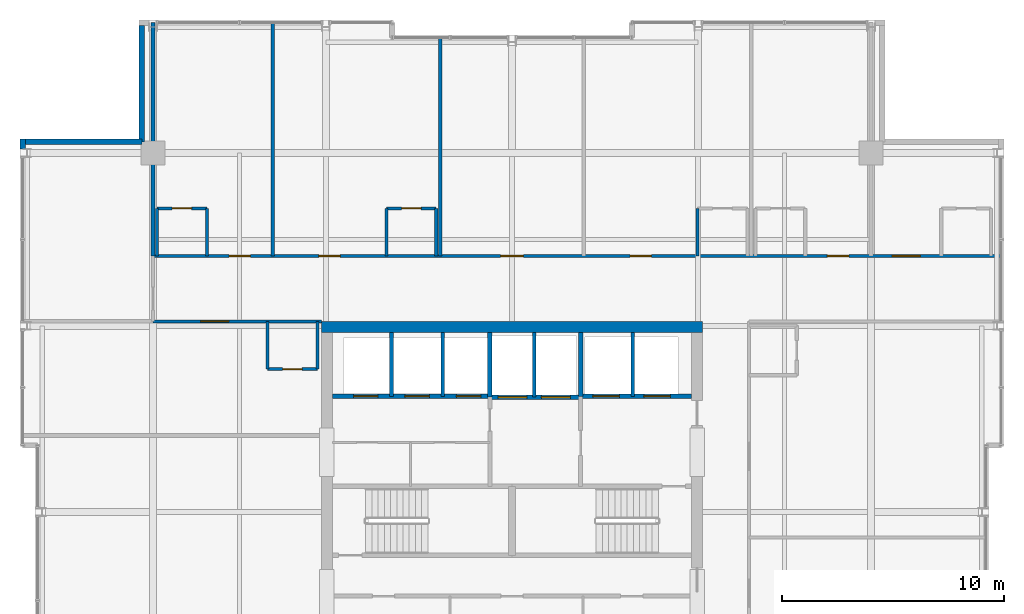
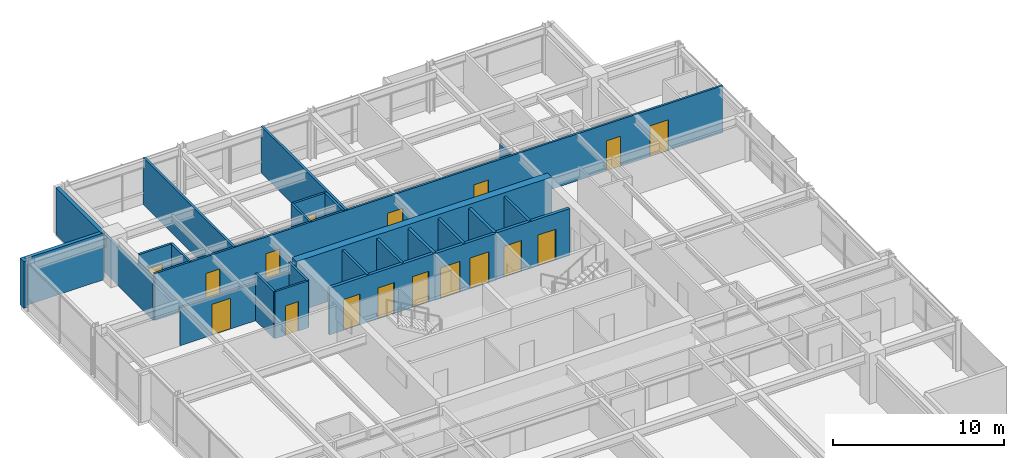
# One storey, part 28 of 32: 28 walls, 17 doors, 17 openings.
"""IFC4 building model written with IfcOpenShell, lengths in metres."""

from ifc_helpers import new_model, si_unit, direction, frame, frame_2d, origin, place, context, subcontext, project, spatial, rectangle, extrude, material, layer, layer_set, type_object, element, fill, save


model = new_model("IFC4")

# Units and contexts
model_context = context("Model", 3, precision=1e-05, world=origin(), true_north=direction((0.0, 1.0)))
body_context = subcontext(model_context, "Body", "Model", "MODEL_VIEW")
ifc_project = project(units=[si_unit("LENGTHUNIT", "METRE"), si_unit("AREAUNIT", "SQUARE_METRE"), si_unit("VOLUMEUNIT", "CUBIC_METRE"), si_unit("PLANEANGLEUNIT", "RADIAN"), si_unit("MASSUNIT", "GRAM", prefix="KILO")], contexts=[model_context])

# Site, building, storey
site_placement = place(None, origin())
site = spatial("IfcSite", under=ifc_project, at=site_placement, CompositionType="ELEMENT")
building_placement = place(site_placement, origin())
building = spatial("IfcBuilding", under=site, at=building_placement, Name="Drelvath Grand Hotel", CompositionType="ELEMENT")
storey_placement = place(building_placement, frame((0.0, 0.0, 237.5)))
storey = spatial("IfcBuildingStorey", under=building, at=storey_placement, Name="L62", CompositionType="ELEMENT", Elevation=237.5)

# Wall, openings, doors
ifc_material_1 = material(Name="Concrete C40/50", Category="concrete")
ifc_layer_1 = layer(ifc_material_1, 0.199951171875)
ifc_layer_set_1 = layer_set([ifc_layer_1], Name="Concrete C40/50")
wall_type_1 = type_object("IfcWallType", Name="Core Hoistway Fire Wall 200", PredefinedType="SOLIDWALL", material=ifc_layer_set_1)
wall_1_placement = place(storey_placement, frame((3.10009765625, 32.219970703125, 0.0), z_axis=(0.0, 0.0, 1.0), x_axis=(1.0, 0.0, 0.0)))
wall_1 = element("IfcWall", 1, at=wall_1_placement, inside=storey, type_object=wall_type_1, Name="L62 FSAE Hoistway Front Wall", PredefinedType="SOLIDWALL", context=body_context, shape_type="SweptSolid", body=[
    extrude(rectangle(XDim=5.0, YDim=0.199951171875, at=frame_2d((2.5, 0.0))), origin(), (0.0, 0.0, 1.0), 3.340087890625),
])
opening_1_placement = place(wall_1_placement, frame((0.550048828125, 0.0, 0.0)))
opening_1 = element("IfcOpeningElement", 2, at=opening_1_placement, cuts=wall_1, Name="Opening LD-FSAE-1", PredefinedType="OPENING", context=body_context, shape_type="SweptSolid", body=[
    extrude(rectangle(XDim=1.199951171875, YDim=2.199951171875, at=frame_2d((0.60009765625, 1.10009765625))), frame((0.0, 0.10986328125, 0.0), z_axis=(0.0, -1.0, 0.0), x_axis=(1.0, 0.0, 0.0)), (0.0, 0.0, 1.0), 0.219970703125),
])
opening_2_placement = place(wall_1_placement, frame((2.85009765625, 0.0, 0.0)))
opening_2 = element("IfcOpeningElement", 3, at=opening_2_placement, cuts=wall_1, Name="Opening LD-FSAE-2", PredefinedType="OPENING", context=body_context, shape_type="SweptSolid", body=[
    extrude(rectangle(XDim=1.199951171875, YDim=2.199951171875, at=frame_2d((0.60009765625, 1.10009765625))), frame((0.0, 0.10986328125, 0.0), z_axis=(0.0, -1.0, 0.0), x_axis=(1.0, 0.0, 0.0)), (0.0, 0.0, 1.0), 0.219970703125),
])
ifc_material_2 = material(Name="Stainless Steel S355", Category="steel")
door_type_1 = type_object("IfcDoorType", Name="FSAE Lift Sliding Landing Door 1200x2200", OperationType="NOTDEFINED", PredefinedType="DOOR", material=ifc_material_2)
door_1_placement = place(opening_1_placement, origin())
door_1 = element("IfcDoor", 4, at=door_1_placement, inside=storey, type_object=door_type_1, Name="L62 Lift FSAE-1 Landing Door", OperationType="SLIDING_TO_LEFT", OverallHeight=2.199951171875, OverallWidth=1.199951171875, PredefinedType="DOOR", context=body_context, shape_type="SweptSolid", body=[
    extrude(rectangle(XDim=1.199951171875, YDim=2.199951171875, at=frame_2d((0.60009765625, 1.10009765625))), frame((0.0, 0.02490234375, 0.0), z_axis=(0.0, -1.0, 0.0), x_axis=(1.0, 0.0, 0.0)), (0.0, 0.0, 1.0), 0.050048828125),
])
fill(opening_1, door_1)
door_2_placement = place(opening_2_placement, origin())
door_2 = element("IfcDoor", 5, at=door_2_placement, inside=storey, type_object=door_type_1, Name="L62 Lift FSAE-2 Landing Door", OperationType="SLIDING_TO_LEFT", OverallHeight=2.199951171875, OverallWidth=1.199951171875, PredefinedType="DOOR", context=body_context, shape_type="SweptSolid", body=[
    extrude(rectangle(XDim=1.199951171875, YDim=2.199951171875, at=frame_2d((0.60009765625, 1.10009765625))), frame((0.0, 0.02490234375, 0.0), z_axis=(0.0, -1.0, 0.0), x_axis=(1.0, 0.0, 0.0)), (0.0, 0.0, 1.0), 0.050048828125),
])
fill(opening_2, door_2)

# Wall
wall_2_placement = place(storey_placement, frame((3.10009765625, 32.219970703125, 0.0), z_axis=(0.0, 0.0, 1.0), x_axis=(0.0, 1.0, 0.0)))
element("IfcWall", 6, at=wall_2_placement, inside=storey, type_object=wall_type_1, Name="L62 FSAE Hoistway West Wall", PredefinedType="SOLIDWALL", context=body_context, shape_type="SweptSolid", body=[
    extrude(rectangle(XDim=2.880126953125, YDim=0.199951171875, at=frame_2d((1.43994140625, 0.0))), origin(), (0.0, 0.0, 1.0), 3.340087890625),
])

# Wall, openings, doors
wall_3_placement = place(storey_placement, frame((-1.0, 32.179931640625, 0.0), z_axis=(0.0, 0.0, 1.0), x_axis=(1.0, 0.0, 0.0)))
wall_3 = element("IfcWall", 7, at=wall_3_placement, inside=storey, type_object=wall_type_1, Name="L62 Service Lift Hoistway Wall", PredefinedType="SOLIDWALL", context=body_context, shape_type="SweptSolid", body=[
    extrude(rectangle(XDim=4.10009765625, YDim=0.199951171875, at=frame_2d((2.050048828125, 0.0))), origin(), (0.0, 0.0, 1.0), 3.340087890625),
])
opening_3_placement = place(wall_3_placement, frame((0.3701171875, 0.0, 0.0)))
opening_3 = element("IfcOpeningElement", 8, at=opening_3_placement, cuts=wall_3, Name="Opening LD-SV-2", PredefinedType="OPENING", context=body_context, shape_type="SweptSolid", body=[
    extrude(rectangle(XDim=1.300048828125, YDim=2.199951171875, at=frame_2d((0.64990234375, 1.10009765625))), frame((0.0, 0.10986328125, 0.0), z_axis=(0.0, -1.0, 0.0), x_axis=(1.0, 0.0, 0.0)), (0.0, 0.0, 1.0), 0.219970703125),
])
opening_4_placement = place(wall_3_placement, frame((2.330078125, 0.0, 0.0)))
opening_4 = element("IfcOpeningElement", 9, at=opening_4_placement, cuts=wall_3, Name="Opening LD-SV-1", PredefinedType="OPENING", context=body_context, shape_type="SweptSolid", body=[
    extrude(rectangle(XDim=1.300048828125, YDim=2.199951171875, at=frame_2d((0.64990234375, 1.10009765625))), frame((0.0, 0.10986328125, 0.0), z_axis=(0.0, -1.0, 0.0), x_axis=(1.0, 0.0, 0.0)), (0.0, 0.0, 1.0), 0.219970703125),
])
door_type_2 = type_object("IfcDoorType", Name="Service Lift Sliding Landing Door 1300x2200", OperationType="NOTDEFINED", PredefinedType="DOOR", material=ifc_material_2)
door_3_placement = place(opening_3_placement, origin())
door_3 = element("IfcDoor", 10, at=door_3_placement, inside=storey, type_object=door_type_2, Name="L62 Lift SV-2 Landing Door", OperationType="SLIDING_TO_LEFT", OverallHeight=2.199951171875, OverallWidth=1.300048828125, PredefinedType="DOOR", context=body_context, shape_type="SweptSolid", body=[
    extrude(rectangle(XDim=1.300048828125, YDim=2.199951171875, at=frame_2d((0.64990234375, 1.10009765625))), frame((0.0, 0.02490234375, 0.0), z_axis=(0.0, -1.0, 0.0), x_axis=(1.0, 0.0, 0.0)), (0.0, 0.0, 1.0), 0.050048828125),
])
fill(opening_3, door_3)
door_4_placement = place(opening_4_placement, origin())
door_4 = element("IfcDoor", 11, at=door_4_placement, inside=storey, type_object=door_type_2, Name="L62 Lift SV-1 Landing Door", OperationType="SLIDING_TO_LEFT", OverallHeight=2.199951171875, OverallWidth=1.300048828125, PredefinedType="DOOR", context=body_context, shape_type="SweptSolid", body=[
    extrude(rectangle(XDim=1.300048828125, YDim=2.199951171875, at=frame_2d((0.64990234375, 1.10009765625))), frame((0.0, 0.02490234375, 0.0), z_axis=(0.0, -1.0, 0.0), x_axis=(1.0, 0.0, 0.0)), (0.0, 0.0, 1.0), 0.050048828125),
])
fill(opening_4, door_4)

# Wall
wall_4_placement = place(storey_placement, frame((-1.0, 32.179931640625, 0.0), z_axis=(0.0, 0.0, 1.0), x_axis=(0.0, 1.0, 0.0)))
element("IfcWall", 12, at=wall_4_placement, inside=storey, type_object=wall_type_1, Name="L62 Service Lift West Wall", PredefinedType="SOLIDWALL", context=body_context, shape_type="SweptSolid", body=[
    extrude(rectangle(XDim=2.920166015625, YDim=0.199951171875, at=frame_2d((1.4599609375, 0.0))), origin(), (0.0, 0.0, 1.0), 3.340087890625),
])

# Wall, openings, doors
wall_5_placement = place(storey_placement, frame((-8.10009765625, 32.219970703125, 0.0), z_axis=(0.0, 0.0, 1.0), x_axis=(1.0, 0.0, 0.0)))
wall_5 = element("IfcWall", 13, at=wall_5_placement, inside=storey, type_object=wall_type_1, Name="L62 Bank 3 Hoistway Wall", PredefinedType="SOLIDWALL", context=body_context, shape_type="SweptSolid", body=[
    extrude(rectangle(XDim=7.10009765625, YDim=0.199951171875, at=frame_2d((3.550048828125, 0.0))), origin(), (0.0, 0.0, 1.0), 3.340087890625),
])
opening_5_placement = place(wall_5_placement, frame((0.949951171875, 0.0, 0.0)))
opening_5 = element("IfcOpeningElement", 14, at=opening_5_placement, cuts=wall_5, Name="Opening LD-PE-7", PredefinedType="OPENING", context=body_context, shape_type="SweptSolid", body=[
    extrude(rectangle(XDim=1.10009765625, YDim=2.199951171875, at=frame_2d((0.550048828125, 1.10009765625))), frame((0.0, 0.10986328125, 0.0), z_axis=(0.0, -1.0, 0.0), x_axis=(1.0, 0.0, 0.0)), (0.0, 0.0, 1.0), 0.219970703125),
])
opening_6_placement = place(wall_5_placement, frame((3.27001953125, 0.0, 0.0)))
opening_6 = element("IfcOpeningElement", 15, at=opening_6_placement, cuts=wall_5, Name="Opening LD-PE-8", PredefinedType="OPENING", context=body_context, shape_type="SweptSolid", body=[
    extrude(rectangle(XDim=1.10009765625, YDim=2.199951171875, at=frame_2d((0.550048828125, 1.10009765625))), frame((0.0, 0.10986328125, 0.0), z_axis=(0.0, -1.0, 0.0), x_axis=(1.0, 0.0, 0.0)), (0.0, 0.0, 1.0), 0.219970703125),
])
opening_7_placement = place(wall_5_placement, frame((5.590087890625, 0.0, 0.0)))
opening_7 = element("IfcOpeningElement", 16, at=opening_7_placement, cuts=wall_5, Name="Opening LD-PE-9", PredefinedType="OPENING", context=body_context, shape_type="SweptSolid", body=[
    extrude(rectangle(XDim=1.10009765625, YDim=2.199951171875, at=frame_2d((0.550048828125, 1.10009765625))), frame((0.0, 0.10986328125, 0.0), z_axis=(0.0, -1.0, 0.0), x_axis=(1.0, 0.0, 0.0)), (0.0, 0.0, 1.0), 0.219970703125),
])
door_type_3 = type_object("IfcDoorType", Name="Passenger Lift Sliding Landing Door 1100x2200", OperationType="NOTDEFINED", PredefinedType="DOOR", material=ifc_material_2)
door_5_placement = place(opening_5_placement, origin())
door_5 = element("IfcDoor", 17, at=door_5_placement, inside=storey, type_object=door_type_3, Name="L62 Lift PE-7 Landing Door", OperationType="SLIDING_TO_LEFT", OverallHeight=2.199951171875, OverallWidth=1.10009765625, PredefinedType="DOOR", context=body_context, shape_type="SweptSolid", body=[
    extrude(rectangle(XDim=1.10009765625, YDim=2.199951171875, at=frame_2d((0.550048828125, 1.10009765625))), frame((0.0, 0.02490234375, 0.0), z_axis=(0.0, -1.0, 0.0), x_axis=(1.0, 0.0, 0.0)), (0.0, 0.0, 1.0), 0.050048828125),
])
fill(opening_5, door_5)
door_6_placement = place(opening_6_placement, origin())
door_6 = element("IfcDoor", 18, at=door_6_placement, inside=storey, type_object=door_type_3, Name="L62 Lift PE-8 Landing Door", OperationType="SLIDING_TO_LEFT", OverallHeight=2.199951171875, OverallWidth=1.10009765625, PredefinedType="DOOR", context=body_context, shape_type="SweptSolid", body=[
    extrude(rectangle(XDim=1.10009765625, YDim=2.199951171875, at=frame_2d((0.550048828125, 1.10009765625))), frame((0.0, 0.02490234375, 0.0), z_axis=(0.0, -1.0, 0.0), x_axis=(1.0, 0.0, 0.0)), (0.0, 0.0, 1.0), 0.050048828125),
])
fill(opening_6, door_6)
door_7_placement = place(opening_7_placement, origin())
door_7 = element("IfcDoor", 19, at=door_7_placement, inside=storey, type_object=door_type_3, Name="L62 Lift PE-9 Landing Door", OperationType="SLIDING_TO_LEFT", OverallHeight=2.199951171875, OverallWidth=1.10009765625, PredefinedType="DOOR", context=body_context, shape_type="SweptSolid", body=[
    extrude(rectangle(XDim=1.10009765625, YDim=2.199951171875, at=frame_2d((0.550048828125, 1.10009765625))), frame((0.0, 0.02490234375, 0.0), z_axis=(0.0, -1.0, 0.0), x_axis=(1.0, 0.0, 0.0)), (0.0, 0.0, 1.0), 0.050048828125),
])
fill(opening_7, door_7)

# Walls
ifc_material_3 = material(Name="Gypsum Fireboard Partition")
ifc_layer_2 = layer(ifc_material_3, 0.1650390625)
ifc_layer_set_2 = layer_set([ifc_layer_2], Name="Gypsum Fireboard Partition")
wall_type_2 = type_object("IfcWallType", Name="Core Shaft Partition 165", PredefinedType="PARTITIONING", material=ifc_layer_set_2)
wall_6_placement = place(storey_placement, frame((5.449951171875, 32.219970703125, 0.0), z_axis=(0.0, 0.0, 1.0), x_axis=(0.0, 1.0, 0.0)))
element("IfcWall", 20, at=wall_6_placement, inside=storey, type_object=wall_type_2, Name="L62 FSAE Hoistway Divider", PredefinedType="PARTITIONING", context=body_context, shape_type="SweptSolid", body=[
    extrude(rectangle(XDim=2.880126953125, YDim=0.1650390625, at=frame_2d((1.43994140625, 0.0))), origin(), (0.0, 0.0, 1.0), 3.340087890625),
])
wall_7_placement = place(storey_placement, frame((1.0, 32.179931640625, 0.0), z_axis=(0.0, 0.0, 1.0), x_axis=(0.0, 1.0, 0.0)))
element("IfcWall", 21, at=wall_7_placement, inside=storey, type_object=wall_type_2, Name="L62 Service Lift Divider", PredefinedType="PARTITIONING", context=body_context, shape_type="SweptSolid", body=[
    extrude(rectangle(XDim=2.920166015625, YDim=0.1650390625, at=frame_2d((1.4599609375, 0.0))), origin(), (0.0, 0.0, 1.0), 3.340087890625),
])
for number, where, z_axis, x_axis, name in (
    (22, (-5.43994140625, 32.219970703125, 0.0), (0.0, 0.0, 1.0), (0.0, 1.0, 0.0), "L62 Lift PE-7/8 Divider"),
    (23, (-3.1201171875, 32.219970703125, 0.0), (0.0, 0.0, 1.0), (0.0, 1.0, 0.0), "L62 Lift PE-8/9 Divider"),
):
    element("IfcWall", number, at=place(storey_placement, frame(where, z_axis=z_axis, x_axis=x_axis)), inside=storey, type_object=wall_type_2, Name=name, PredefinedType="PARTITIONING", context=body_context, shape_type="SweptSolid", body=[
        extrude(rectangle(XDim=2.880126953125, YDim=0.1650390625, at=frame_2d((1.43994140625, 0.0))), origin(), (0.0, 0.0, 1.0), 3.340087890625),
    ])

# Wall, openings, doors
ifc_layer_3 = layer(ifc_material_3, 0.135009765625)
ifc_layer_set_3 = layer_set([ifc_layer_3], Name="Gypsum Fireboard Partition")
wall_type_3 = type_object("IfcWallType", Name="Corridor Fire Barrier Wall 135", PredefinedType="PARTITIONING", material=ifc_layer_set_3)
wall_8_placement = place(storey_placement, frame((-16.199951171875, 38.550048828125, 0.0), z_axis=(0.0, 0.0, 1.0), x_axis=(1.0, 0.0, 0.0)))
wall_8 = element("IfcWall", 24, at=wall_8_placement, inside=storey, type_object=wall_type_3, Name="L62 North Cross-Gallery Wall", PredefinedType="PARTITIONING", context=body_context, shape_type="SweptSolid", body=[
    extrude(rectangle(XDim=38.280029296875, YDim=0.135009765625, at=frame_2d((19.14013671875, 0.0))), origin(), (0.0, 0.0, 1.0), 3.340087890625),
])
opening_8_placement = place(wall_8_placement, frame((33.35498046875, 0.0, 0.0)))
opening_8 = element("IfcOpeningElement", 25, at=opening_8_placement, cuts=wall_8, Name="Opening D-T4G4-024", PredefinedType="OPENING", context=body_context, shape_type="SweptSolid", body=[
    extrude(rectangle(XDim=1.260009765625, YDim=2.199951171875, at=frame_2d((0.6298828125, 1.10009765625))), frame((0.0, 0.077392578125, 0.0), z_axis=(0.0, -1.0, 0.0), x_axis=(1.0, 0.0, 0.0)), (0.0, 0.0, 1.0), 0.155029296875),
])
opening_9_placement = place(wall_8_placement, frame((3.43505859375, 0.0, 0.0)))
opening_9 = element("IfcOpeningElement", 26, at=opening_9_placement, cuts=wall_8, Name="Opening D-T4G4-033", PredefinedType="OPENING", context=body_context, shape_type="SweptSolid", body=[
    extrude(rectangle(XDim=0.9599609375, YDim=2.14990234375, at=frame_2d((0.47998046875, 1.074951171875))), frame((0.0, 0.077392578125, 0.0), z_axis=(0.0, -1.0, 0.0), x_axis=(1.0, 0.0, 0.0)), (0.0, 0.0, 1.0), 0.155029296875),
])
opening_10_placement = place(wall_8_placement, frame((7.485107421875, 0.0, 0.0)))
opening_10 = element("IfcOpeningElement", 27, at=opening_10_placement, cuts=wall_8, Name="Opening D-T4G4-035", PredefinedType="OPENING", context=body_context, shape_type="SweptSolid", body=[
    extrude(rectangle(XDim=0.9599609375, YDim=2.14990234375, at=frame_2d((0.47998046875, 1.074951171875))), frame((0.0, 0.077392578125, 0.0), z_axis=(0.0, -1.0, 0.0), x_axis=(1.0, 0.0, 0.0)), (0.0, 0.0, 1.0), 0.155029296875),
])
opening_11_placement = place(wall_8_placement, frame((15.68994140625, 0.0, 0.0)))
opening_11 = element("IfcOpeningElement", 28, at=opening_11_placement, cuts=wall_8, Name="Opening D-T4G4-036", PredefinedType="OPENING", context=body_context, shape_type="SweptSolid", body=[
    extrude(rectangle(XDim=1.02001953125, YDim=2.14990234375, at=frame_2d((0.510009765625, 1.074951171875))), frame((0.0, 0.077392578125, 0.0), z_axis=(0.0, -1.0, 0.0), x_axis=(1.0, 0.0, 0.0)), (0.0, 0.0, 1.0), 0.155029296875),
])
opening_12_placement = place(wall_8_placement, frame((21.52490234375, 0.0, 0.0)))
opening_12 = element("IfcOpeningElement", 29, at=opening_12_placement, cuts=wall_8, Name="Opening D-T4G4-038", PredefinedType="OPENING", context=body_context, shape_type="SweptSolid", body=[
    extrude(rectangle(XDim=0.9599609375, YDim=2.14990234375, at=frame_2d((0.47998046875, 1.074951171875))), frame((0.0, 0.077392578125, 0.0), z_axis=(0.0, -1.0, 0.0), x_axis=(1.0, 0.0, 0.0)), (0.0, 0.0, 1.0), 0.155029296875),
])
opening_13_placement = place(wall_8_placement, frame((30.43505859375, 0.0, 0.0)))
opening_13 = element("IfcOpeningElement", 30, at=opening_13_placement, cuts=wall_8, Name="Opening D-T4G4-040", PredefinedType="OPENING", context=body_context, shape_type="SweptSolid", body=[
    extrude(rectangle(XDim=0.9599609375, YDim=2.14990234375, at=frame_2d((0.47998046875, 1.074951171875))), frame((0.0, 0.077392578125, 0.0), z_axis=(0.0, -1.0, 0.0), x_axis=(1.0, 0.0, 0.0)), (0.0, 0.0, 1.0), 0.155029296875),
])
ifc_material_4 = material(Name="Hardwood Walnut Timber", Category="wood")
door_type_4 = type_object("IfcDoorType", Name="Amenity Meeting Fire Door 1020x2150", OperationType="NOTDEFINED", PredefinedType="DOOR", material=ifc_material_4)
door_8_placement = place(opening_11_placement, origin())
door_8 = element("IfcDoor", 31, at=door_8_placement, inside=storey, type_object=door_type_4, Name="L62 Wellness Therapy Room Entry Door", OperationType="SINGLE_SWING_LEFT", OverallHeight=2.14990234375, OverallWidth=1.02001953125, PredefinedType="DOOR", context=body_context, shape_type="SweptSolid", body=[
    extrude(rectangle(XDim=1.02001953125, YDim=2.14990234375, at=frame_2d((0.510009765625, 1.074951171875))), frame((0.0, 0.02490234375, 0.0), z_axis=(0.0, -1.0, 0.0), x_axis=(1.0, 0.0, 0.0)), (0.0, 0.0, 1.0), 0.050048828125),
])
fill(opening_11, door_8)
door_type_5 = type_object("IfcDoorType", Name="Guestroom Entrance Fire Door 960x2150", OperationType="NOTDEFINED", PredefinedType="DOOR", material=ifc_material_4)
door_9_placement = place(opening_9_placement, origin())
door_9 = element("IfcDoor", 32, at=door_9_placement, inside=storey, type_object=door_type_5, Name="L62 King Guest Room Entry Door", OperationType="SINGLE_SWING_RIGHT", OverallHeight=2.14990234375, OverallWidth=0.9599609375, PredefinedType="DOOR", context=body_context, shape_type="SweptSolid", body=[
    extrude(rectangle(XDim=0.9599609375, YDim=2.14990234375, at=frame_2d((0.47998046875, 1.074951171875))), frame((0.0, 0.02490234375, 0.0), z_axis=(0.0, -1.0, 0.0), x_axis=(1.0, 0.0, 0.0)), (0.0, 0.0, 1.0), 0.050048828125),
])
fill(opening_9, door_9)
door_10_placement = place(opening_10_placement, origin())
door_10 = element("IfcDoor", 33, at=door_10_placement, inside=storey, type_object=door_type_5, Name="L62 King Guest Room Entry Door", OperationType="SINGLE_SWING_RIGHT", OverallHeight=2.14990234375, OverallWidth=0.9599609375, PredefinedType="DOOR", context=body_context, shape_type="SweptSolid", body=[
    extrude(rectangle(XDim=0.9599609375, YDim=2.14990234375, at=frame_2d((0.47998046875, 1.074951171875))), frame((0.0, 0.02490234375, 0.0), z_axis=(0.0, -1.0, 0.0), x_axis=(1.0, 0.0, 0.0)), (0.0, 0.0, 1.0), 0.050048828125),
])
fill(opening_10, door_10)
door_11_placement = place(opening_12_placement, origin())
door_11 = element("IfcDoor", 34, at=door_11_placement, inside=storey, type_object=door_type_5, Name="L62 King Guest Room Entry Door", OperationType="SINGLE_SWING_LEFT", OverallHeight=2.14990234375, OverallWidth=0.9599609375, PredefinedType="DOOR", context=body_context, shape_type="SweptSolid", body=[
    extrude(rectangle(XDim=0.9599609375, YDim=2.14990234375, at=frame_2d((0.47998046875, 1.074951171875))), frame((0.0, 0.02490234375, 0.0), z_axis=(0.0, -1.0, 0.0), x_axis=(1.0, 0.0, 0.0)), (0.0, 0.0, 1.0), 0.050048828125),
])
fill(opening_12, door_11)
door_12_placement = place(opening_13_placement, origin())
door_12 = element("IfcDoor", 35, at=door_12_placement, inside=storey, type_object=door_type_5, Name="L62 King Guest Room Entry Door", OperationType="SINGLE_SWING_LEFT", OverallHeight=2.14990234375, OverallWidth=0.9599609375, PredefinedType="DOOR", context=body_context, shape_type="SweptSolid", body=[
    extrude(rectangle(XDim=0.9599609375, YDim=2.14990234375, at=frame_2d((0.47998046875, 1.074951171875))), frame((0.0, 0.02490234375, 0.0), z_axis=(0.0, -1.0, 0.0), x_axis=(1.0, 0.0, 0.0)), (0.0, 0.0, 1.0), 0.050048828125),
])
fill(opening_13, door_12)
door_type_6 = type_object("IfcDoorType", Name="Suite Entrance Fire Door 1260x2200", OperationType="NOTDEFINED", PredefinedType="DOOR", material=ifc_material_4)
door_13_placement = place(opening_8_placement, origin())
door_13 = element("IfcDoor", 36, at=door_13_placement, inside=storey, type_object=door_type_6, Name="L62 Diplomatic Suite Entry Door", OperationType="SINGLE_SWING_LEFT", OverallHeight=2.199951171875, OverallWidth=1.260009765625, PredefinedType="DOOR", context=body_context, shape_type="SweptSolid", body=[
    extrude(rectangle(XDim=1.260009765625, YDim=2.199951171875, at=frame_2d((0.6298828125, 1.10009765625))), frame((0.0, 0.02490234375, 0.0), z_axis=(0.0, -1.0, 0.0), x_axis=(1.0, 0.0, 0.0)), (0.0, 0.0, 1.0), 0.050048828125),
])
fill(opening_8, door_13)

# Wall, opening, door
wall_9_placement = place(storey_placement, frame((-16.199951171875, 35.60009765625, 0.0), z_axis=(0.0, 0.0, 1.0), x_axis=(1.0, 0.0, 0.0)))
wall_9 = element("IfcWall", 37, at=wall_9_placement, inside=storey, type_object=wall_type_3, Name="L62 North Gallery Inner West Wall", PredefinedType="PARTITIONING", context=body_context, shape_type="SweptSolid", body=[
    extrude(rectangle(XDim=7.599853515625, YDim=0.135009765625, at=frame_2d((3.7998046875, 0.0))), origin(), (0.0, 0.0, 1.0), 2.71728515625),
])
opening_14_placement = place(wall_9_placement, frame((2.155029296875, 0.0, 0.0)))
opening_14 = element("IfcOpeningElement", 38, at=opening_14_placement, cuts=wall_9, Name="Opening D-T4G4-048", PredefinedType="OPENING", context=body_context, shape_type="SweptSolid", body=[
    extrude(rectangle(XDim=1.260009765625, YDim=2.199951171875, at=frame_2d((0.6298828125, 1.10009765625))), frame((0.0, 0.077392578125, 0.0), z_axis=(0.0, -1.0, 0.0), x_axis=(1.0, 0.0, 0.0)), (0.0, 0.0, 1.0), 0.155029296875),
])
door_14_placement = place(opening_14_placement, origin())
door_14 = element("IfcDoor", 39, at=door_14_placement, inside=storey, type_object=door_type_6, Name="L62 Diplomatic Suite Entry Door", OperationType="SINGLE_SWING_LEFT", OverallHeight=2.199951171875, OverallWidth=1.260009765625, PredefinedType="DOOR", context=body_context, shape_type="SweptSolid", body=[
    extrude(rectangle(XDim=1.260009765625, YDim=2.199951171875, at=frame_2d((0.6298828125, 1.10009765625))), frame((0.0, 0.02490234375, 0.0), z_axis=(0.0, -1.0, 0.0), x_axis=(1.0, 0.0, 0.0)), (0.0, 0.0, 1.0), 0.050048828125),
])
fill(opening_14, door_14)

# Walls
ifc_material_5 = material(Name="Moisture-Resistant Gypsum Board")
ifc_layer_4 = layer(ifc_material_5, 0.139892578125)
ifc_layer_set_4 = layer_set([ifc_layer_4], Name="Moisture-Resistant Gypsum Board")
wall_type_4 = type_object("IfcWallType", Name="En-Suite Plumbing Wall 140", PredefinedType="PLUMBINGWALL", material=ifc_layer_set_4)
wall_10_placement = place(storey_placement, frame((-16.02001953125, 38.550048828125, 0.0), z_axis=(0.0, 0.0, 1.0), x_axis=(0.0, 1.0, 0.0)))
element("IfcWall", 40, at=wall_10_placement, inside=storey, type_object=wall_type_4, Name="L62 En-Suite Left Wall", PredefinedType="PLUMBINGWALL", context=body_context, shape_type="SweptSolid", body=[
    extrude(rectangle(XDim=2.14990234375, YDim=0.139892578125, at=frame_2d((1.074951171875, 0.0))), origin(), (0.0, 0.0, 1.0), 2.7138671875),
])
wall_11_placement = place(storey_placement, frame((-13.77001953125, 38.550048828125, 0.0), z_axis=(0.0, 0.0, 1.0), x_axis=(0.0, 1.0, 0.0)))
element("IfcWall", 41, at=wall_11_placement, inside=storey, type_object=wall_type_4, Name="L62 En-Suite Right Wall", PredefinedType="PLUMBINGWALL", context=body_context, shape_type="SweptSolid", body=[
    extrude(rectangle(XDim=2.14990234375, YDim=0.139892578125, at=frame_2d((1.074951171875, 0.0))), origin(), (0.0, 0.0, 1.0), 3.340087890625),
])

# Wall, opening, door
wall_12_placement = place(storey_placement, frame((-16.02001953125, 40.699951171875, 0.0), z_axis=(0.0, 0.0, 1.0), x_axis=(1.0, 0.0, 0.0)))
wall_12 = element("IfcWall", 42, at=wall_12_placement, inside=storey, type_object=wall_type_4, Name="L62 En-Suite Front Wall", PredefinedType="PLUMBINGWALL", context=body_context, shape_type="SweptSolid", body=[
    extrude(rectangle(XDim=2.25, YDim=0.139892578125, at=frame_2d((1.125, 0.0))), origin(), (0.0, 0.0, 1.0), 3.340087890625),
])
opening_15_placement = place(wall_12_placement, frame((0.68505859375, 0.0, 0.0)))
opening_15 = element("IfcOpeningElement", 43, at=opening_15_placement, cuts=wall_12, Name="Opening D-T4G4-032", PredefinedType="OPENING", context=body_context, shape_type="SweptSolid", body=[
    extrude(rectangle(XDim=0.8798828125, YDim=2.10009765625, at=frame_2d((0.43994140625, 1.050048828125))), frame((0.0, 0.079833984375, 0.0), z_axis=(0.0, -1.0, 0.0), x_axis=(1.0, 0.0, 0.0)), (0.0, 0.0, 1.0), 0.159912109375),
])
door_type_7 = type_object("IfcDoorType", Name="En-Suite Bathroom Door 880x2100", OperationType="NOTDEFINED", PredefinedType="DOOR", material=ifc_material_4)
door_15_placement = place(opening_15_placement, origin())
door_15 = element("IfcDoor", 44, at=door_15_placement, inside=storey, type_object=door_type_7, Name="L62 En-Suite Bathroom Door", OperationType="SINGLE_SWING_LEFT", OverallHeight=2.10009765625, OverallWidth=0.8798828125, PredefinedType="DOOR", context=body_context, shape_type="SweptSolid", body=[
    extrude(rectangle(XDim=0.8798828125, YDim=2.10009765625, at=frame_2d((0.43994140625, 1.050048828125))), frame((0.0, 0.02490234375, 0.0), z_axis=(0.0, -1.0, 0.0), x_axis=(1.0, 0.0, 0.0)), (0.0, 0.0, 1.0), 0.050048828125),
])
fill(opening_15, door_15)

# Walls
for number, where, z_axis, x_axis, name in (
    (45, (-5.669921875, 38.550048828125, 0.0), (0.0, 0.0, 1.0), (0.0, 1.0, 0.0), "L62 En-Suite Left Wall"),
    (46, (-3.419921875, 38.550048828125, 0.0), (0.0, 0.0, 1.0), (0.0, 1.0, 0.0), "L62 En-Suite Right Wall"),
):
    element("IfcWall", number, at=place(storey_placement, frame(where, z_axis=z_axis, x_axis=x_axis)), inside=storey, type_object=wall_type_4, Name=name, PredefinedType="PLUMBINGWALL", context=body_context, shape_type="SweptSolid", body=[
        extrude(rectangle(XDim=2.14990234375, YDim=0.139892578125, at=frame_2d((1.074951171875, 0.0))), origin(), (0.0, 0.0, 1.0), 3.340087890625),
    ])

# Wall, opening, door
wall_13_placement = place(storey_placement, frame((-5.669921875, 40.699951171875, 0.0), z_axis=(0.0, 0.0, 1.0), x_axis=(1.0, 0.0, 0.0)))
wall_13 = element("IfcWall", 47, at=wall_13_placement, inside=storey, type_object=wall_type_4, Name="L62 En-Suite Front Wall", PredefinedType="PLUMBINGWALL", context=body_context, shape_type="SweptSolid", body=[
    extrude(rectangle(XDim=2.25, YDim=0.139892578125, at=frame_2d((1.125, 0.0))), origin(), (0.0, 0.0, 1.0), 3.340087890625),
])
opening_16_placement = place(wall_13_placement, frame((0.68505859375, 0.0, 0.0)))
opening_16 = element("IfcOpeningElement", 48, at=opening_16_placement, cuts=wall_13, Name="Opening D-T4G4-034", PredefinedType="OPENING", context=body_context, shape_type="SweptSolid", body=[
    extrude(rectangle(XDim=0.8798828125, YDim=2.10009765625, at=frame_2d((0.43994140625, 1.050048828125))), frame((0.0, 0.079833984375, 0.0), z_axis=(0.0, -1.0, 0.0), x_axis=(1.0, 0.0, 0.0)), (0.0, 0.0, 1.0), 0.159912109375),
])
door_16_placement = place(opening_16_placement, origin())
door_16 = element("IfcDoor", 49, at=door_16_placement, inside=storey, type_object=door_type_7, Name="L62 En-Suite Bathroom Door", OperationType="SINGLE_SWING_LEFT", OverallHeight=2.10009765625, OverallWidth=0.8798828125, PredefinedType="DOOR", context=body_context, shape_type="SweptSolid", body=[
    extrude(rectangle(XDim=0.8798828125, YDim=2.10009765625, at=frame_2d((0.43994140625, 1.050048828125))), frame((0.0, 0.02490234375, 0.0), z_axis=(0.0, -1.0, 0.0), x_axis=(1.0, 0.0, 0.0)), (0.0, 0.0, 1.0), 0.050048828125),
])
fill(opening_16, door_16)

# Walls
wall_14_placement = place(storey_placement, frame((8.3701171875, 38.550048828125, 0.0), z_axis=(0.0, 0.0, 1.0), x_axis=(0.0, 1.0, 0.0)))
element("IfcWall", 50, at=wall_14_placement, inside=storey, type_object=wall_type_4, Name="L62 En-Suite Left Wall", PredefinedType="PLUMBINGWALL", context=body_context, shape_type="SweptSolid", body=[
    extrude(rectangle(XDim=2.14990234375, YDim=0.139892578125, at=frame_2d((1.074951171875, 0.0))), origin(), (0.0, 0.0, 1.0), 2.71728515625),
])
for number, where, z_axis, x_axis, name in (
    (51, (-11.030029296875, 35.60009765625, 0.0), (0.0, 0.0, 1.0), (0.0, -1.0, 0.0), "L62 En-Suite Left Wall"),
    (52, (-8.780029296875, 35.60009765625, 0.0), (0.0, 0.0, 1.0), (0.0, -1.0, 0.0), "L62 En-Suite Right Wall"),
):
    element("IfcWall", number, at=place(storey_placement, frame(where, z_axis=z_axis, x_axis=x_axis)), inside=storey, type_object=wall_type_4, Name=name, PredefinedType="PLUMBINGWALL", context=body_context, shape_type="SweptSolid", body=[
        extrude(rectangle(XDim=2.150146484375, YDim=0.139892578125, at=frame_2d((1.0751953125, 0.0))), origin(), (0.0, 0.0, 1.0), 3.340087890625),
    ])

# Wall, opening, door
wall_15_placement = place(storey_placement, frame((-11.030029296875, 33.449951171875, 0.0), z_axis=(0.0, 0.0, 1.0), x_axis=(1.0, 0.0, 0.0)))
wall_15 = element("IfcWall", 53, at=wall_15_placement, inside=storey, type_object=wall_type_4, Name="L62 En-Suite Front Wall", PredefinedType="PLUMBINGWALL", context=body_context, shape_type="SweptSolid", body=[
    extrude(rectangle(XDim=2.25, YDim=0.139892578125, at=frame_2d((1.125, 0.0))), origin(), (0.0, 0.0, 1.0), 3.340087890625),
])
opening_17_placement = place(wall_15_placement, frame((0.68505859375, 0.0, 0.0)))
opening_17 = element("IfcOpeningElement", 54, at=opening_17_placement, cuts=wall_15, Name="Opening D-T4G4-047", PredefinedType="OPENING", context=body_context, shape_type="SweptSolid", body=[
    extrude(rectangle(XDim=0.8798828125, YDim=2.10009765625, at=frame_2d((0.43994140625, 1.050048828125))), frame((0.0, 0.079833984375, 0.0), z_axis=(0.0, -1.0, 0.0), x_axis=(1.0, 0.0, 0.0)), (0.0, 0.0, 1.0), 0.159912109375),
])
door_17_placement = place(opening_17_placement, origin())
door_17 = element("IfcDoor", 55, at=door_17_placement, inside=storey, type_object=door_type_7, Name="L62 En-Suite Bathroom Door", OperationType="SINGLE_SWING_RIGHT", OverallHeight=2.10009765625, OverallWidth=0.8798828125, PredefinedType="DOOR", context=body_context, shape_type="SweptSolid", body=[
    extrude(rectangle(XDim=0.8798828125, YDim=2.10009765625, at=frame_2d((0.43994140625, 1.050048828125))), frame((0.0, 0.02490234375, 0.0), z_axis=(0.0, -1.0, 0.0), x_axis=(1.0, 0.0, 0.0)), (0.0, 0.0, 1.0), 0.050048828125),
])
fill(opening_17, door_17)

# Walls
ifc_material_6 = material(Name="Gypsum Acoustic Partition")
ifc_layer_5 = layer(ifc_material_6, 0.14990234375)
ifc_layer_set_5 = layer_set([ifc_layer_5], Name="Gypsum Acoustic Partition")
wall_type_5 = type_object("IfcWallType", Name="Guestroom Demising Wall 150", PredefinedType="PARTITIONING", material=ifc_layer_set_5)
wall_16_placement = place(storey_placement, frame((-10.800048828125, 38.550048828125, 0.0), z_axis=(0.0, 0.0, 1.0), x_axis=(0.0, 1.0, 0.0)))
element("IfcWall", 56, at=wall_16_placement, inside=storey, type_object=wall_type_5, Name="L62 North Demising 1", PredefinedType="PARTITIONING", context=body_context, shape_type="SweptSolid", body=[
    extrude(rectangle(XDim=10.530029296875, YDim=0.14990234375, at=frame_2d((5.26513671875, 0.0))), origin(), (0.0, 0.0, 1.0), 3.340087890625),
])
wall_17_placement = place(storey_placement, frame((-3.239990234375, 38.550048828125, 0.0), z_axis=(0.0, 0.0, 1.0), x_axis=(0.0, 1.0, 0.0)))
element("IfcWall", 57, at=wall_17_placement, inside=storey, type_object=wall_type_5, Name="L62 North Demising 2", PredefinedType="PARTITIONING", context=body_context, shape_type="SweptSolid", body=[
    extrude(rectangle(XDim=9.849853515625, YDim=0.14990234375, at=frame_2d((4.9248046875, 0.0))), origin(), (0.0, 0.0, 1.0), 3.340087890625),
])
ifc_layer_6 = layer(ifc_material_6, 0.1650390625)
ifc_layer_set_6 = layer_set([ifc_layer_6], Name="Gypsum Acoustic Partition")
wall_type_6 = type_object("IfcWallType", Name="Suite Demising Wall 165", PredefinedType="PARTITIONING", material=ifc_layer_set_6)
wall_18_placement = place(storey_placement, frame((-16.199951171875, 38.550048828125, 0.0), z_axis=(0.0, 0.0, 1.0), x_axis=(0.0, 1.0, 0.0)))
element("IfcWall", 58, at=wall_18_placement, inside=storey, type_object=wall_type_6, Name="L62 NW Suite Wall", PredefinedType="PARTITIONING", context=body_context, shape_type="SweptSolid", body=[
    extrude(rectangle(XDim=10.530029296875, YDim=0.1650390625, at=frame_2d((5.26513671875, 0.0))), origin(), (0.0, 0.0, 1.0), 2.7138671875),
])
ifc_material_7 = material(Name="Pale-Metal Insulated Aluminium Spandrel Assembly", Category="aluminium")
ifc_layer_7 = layer(ifc_material_7, 0.239990234375)
ifc_layer_set_7 = layer_set([ifc_layer_7], Name="Pale-Metal Insulated Aluminium Spandrel Assembly")
wall_type_7 = type_object("IfcWallType", Name="Tower Insulated Metal Spandrel Closure Wall 240", PredefinedType="STANDARD", material=ifc_layer_set_7)
wall_19_placement = place(storey_placement, frame((-22.080078125, 43.378173828125, 0.0), z_axis=(0.0, 0.0, 1.0), x_axis=(0.0, 1.0, 0.0)))
element("IfcWall", 59, at=wall_19_placement, inside=storey, type_object=wall_type_7, Name="L62 Corner Pier Spandrel Wall WN3", PredefinedType="STANDARD", context=body_context, shape_type="SweptSolid", body=[
    extrude(rectangle(XDim=0.44189453125, YDim=0.239990234375, at=frame_2d((0.220947265625, 0.0))), origin(), (0.0, 0.0, 1.0), 3.340087890625),
])
for number, where, z_axis, x_axis, name in (
    (60, (-21.9599609375, 43.699951171875, 0.0), (0.0, 0.0, 1.0), (1.0, 0.0, 0.0), "L62 Notched Corner Return Spandrel Wall CNW1"),
    (61, (-16.699951171875, 43.699951171875, 0.0), (0.0, 0.0, 1.0), (0.0, 1.0, 0.0), "L62 Notched Corner Return Spandrel Wall CNW2"),
):
    element("IfcWall", number, at=place(storey_placement, frame(where, z_axis=z_axis, x_axis=x_axis)), inside=storey, type_object=wall_type_7, Name=name, PredefinedType="STANDARD", context=body_context, shape_type="SweptSolid", body=[
        extrude(rectangle(XDim=5.260009765625, YDim=0.239990234375, at=frame_2d((2.6298828125, 0.0))), origin(), (0.0, 0.0, 1.0), 3.340087890625),
    ])
ifc_material_8 = material(Name="Concrete f'c 55 MPa", Category="concrete")
ifc_layer_8 = layer(ifc_material_8, 0.5)
ifc_layer_set_8 = layer_set([ifc_layer_8], Name="Concrete f'c 55 MPa")
wall_type_8 = type_object("IfcWallType", Name="Upper Core RC Shear Wall 500", PredefinedType="SHEAR", material=ifc_layer_set_8)
wall_20_placement = place(storey_placement, frame((-8.60009765625, 35.35009765625, 0.0), z_axis=(0.0, 0.0, 1.0), x_axis=(1.0, 0.0, 0.0)))
element("IfcWall", 62, at=wall_20_placement, inside=storey, type_object=wall_type_8, Name="L62 Central Core Shear Wall N", PredefinedType="SHEAR", context=body_context, shape_type="SweptSolid", body=[
    extrude(rectangle(XDim=17.2001953125, YDim=0.5, at=frame_2d((8.60009765625, 0.0))), origin(), (0.0, 0.0, 1.0), 3.60009765625),
])

save(model, "model.ifc")
